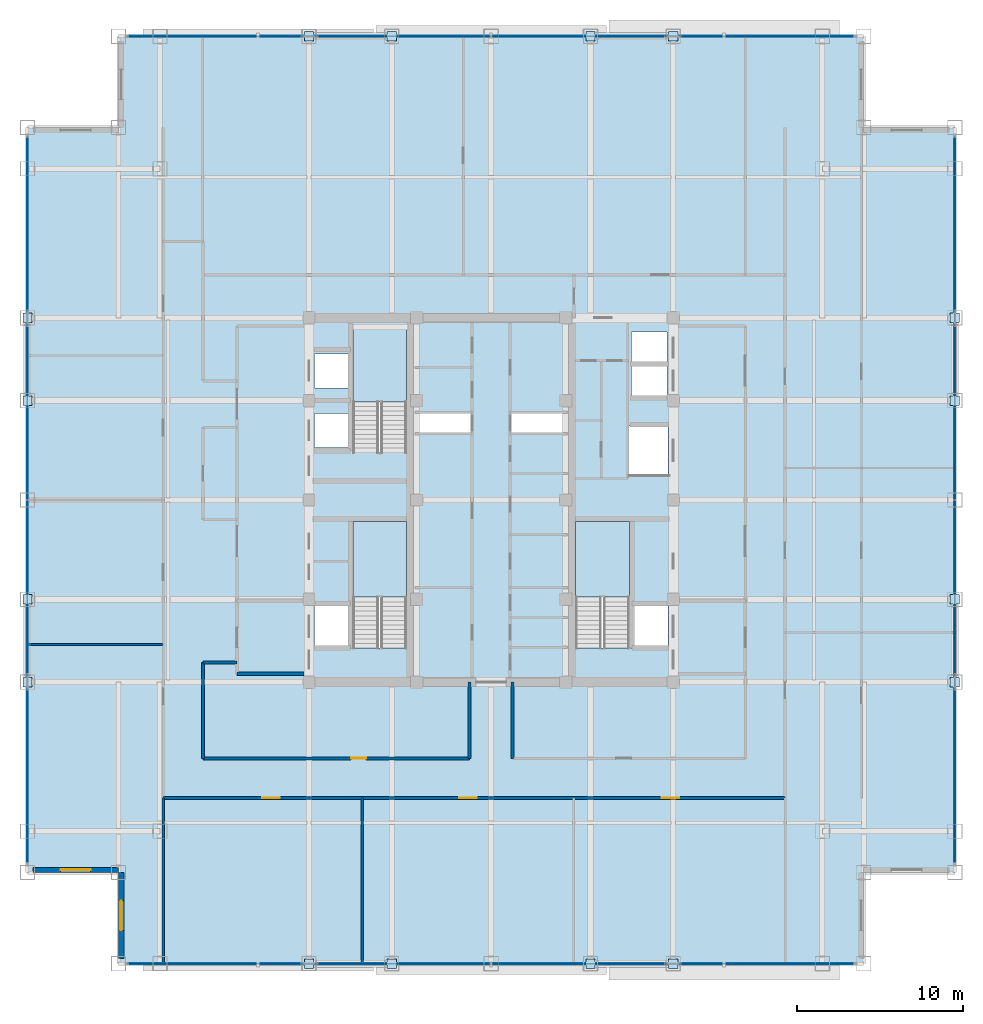
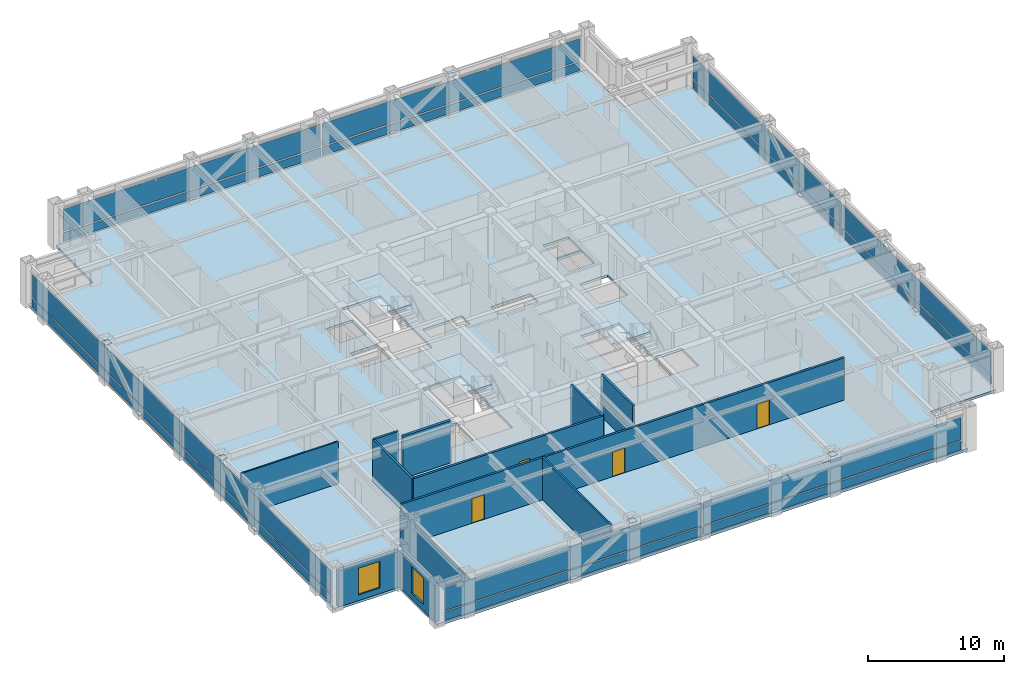
# One storey, part 17 of 27: 32 plates, 12 walls, 4 doors, 4 slabs, 2 windows, 6 openings, 7 elements without a shape of their own.
"""IFC4 building model written with IfcOpenShell, lengths in metres."""

from ifc_helpers import new_model, si_unit, direction, frame, frame_2d, origin, origin_2d, place, context, subcontext, project, spatial, polyline, rectangle, outline, extrude, source, transform, mapped, material, layer, layer_set, type_object, element, fill, aggregate, save


model = new_model("IFC4")

# Units and contexts
model_context = context("Model", 3, precision=1e-05, world=origin(), true_north=direction((0.0, 1.0)))
body_context = subcontext(model_context, "Body", "Model", "MODEL_VIEW")
ifc_project = project(units=[si_unit("LENGTHUNIT", "METRE"), si_unit("AREAUNIT", "SQUARE_METRE"), si_unit("VOLUMEUNIT", "CUBIC_METRE"), si_unit("PLANEANGLEUNIT", "RADIAN"), si_unit("MASSUNIT", "GRAM", prefix="KILO")], contexts=[model_context])

# Site, building, storey
site_placement = place(None, origin())
site = spatial("IfcSite", under=ifc_project, at=site_placement, CompositionType="ELEMENT")
building_placement = place(site_placement, origin())
building = spatial("IfcBuilding", under=site, at=building_placement, Name="Khorayat Bourse Tower", CompositionType="ELEMENT")
storey_placement = place(building_placement, frame((0.0, 0.0, 313.5)))
storey = spatial("IfcBuildingStorey", under=building, at=storey_placement, Name="L74", CompositionType="ELEMENT", Elevation=313.5)

# Stair, slab
ifc_material_1 = material(Name="Concrete C40/50", Category="concrete")
stair_type = type_object("IfcStairType", Name="STR-CORE-1550", PredefinedType="HALF_TURN_STAIR", material=ifc_material_1)
stair_1_placement = place(storey_placement, origin())
stair_1 = element("IfcStair", 1, at=stair_1_placement, inside=storey, type_object=stair_type, Name="L74 Exit Stair ST-1", PredefinedType="HALF_TURN_STAIR")
ifc_layer_1 = layer(ifc_material_1, 0.199951171875)
ifc_layer_set_1 = layer_set([ifc_layer_1], Name="Concrete C40/50")
slab_type_1 = type_object("IfcSlabType", Name="SLB-LANDING-200", PredefinedType="LANDING", material=ifc_layer_set_1)
slab_1_placement = place(storey_placement, frame((0.0, 0.0, 1.800048828125)))
slab_1 = element("IfcSlab", 2, at=slab_1_placement, type_object=slab_type_1, Name="ST-1 landing 1", PredefinedType="LANDING", context=body_context, shape_type="SweptSolid", body=[
    extrude(outline(polyline([(-5.10009765625, -5.8701171875), (-5.10009765625, -1.300048828125), (-8.35009765625, -1.300048828125), (-8.35009765625, -5.8701171875), (-5.10009765625, -5.8701171875)])), origin(), (0.0, 0.0, 1.0), 0.199951171875),
])
aggregate(stair_1, [slab_1])

stair_2_placement = place(storey_placement, origin())
stair_2 = element("IfcStair", 3, at=stair_2_placement, inside=storey, type_object=stair_type, Name="L74 Exit Stair ST-2", PredefinedType="HALF_TURN_STAIR")
slab_2_placement = place(storey_placement, frame((0.0, 0.0, 1.800048828125)))
slab_2 = element("IfcSlab", 4, at=slab_2_placement, type_object=slab_type_1, Name="ST-2 landing 1", PredefinedType="LANDING", context=body_context, shape_type="SweptSolid", body=[
    extrude(outline(polyline([(-5.10009765625, 5.929931640625), (-5.10009765625, 10.5), (-8.35009765625, 10.5), (-8.35009765625, 5.929931640625), (-5.10009765625, 5.929931640625)])), origin(), (0.0, 0.0, 1.0), 0.199951171875),
])
aggregate(stair_2, [slab_2])

stair_3_placement = place(storey_placement, origin())
stair_3 = element("IfcStair", 5, at=stair_3_placement, inside=storey, type_object=stair_type, Name="L74 Exit Stair ST-3", PredefinedType="HALF_TURN_STAIR")
slab_3_placement = place(storey_placement, frame((0.0, 0.0, 1.800048828125)))
slab_3 = element("IfcSlab", 6, at=slab_3_placement, type_object=slab_type_1, Name="ST-3 landing 1", PredefinedType="LANDING", context=body_context, shape_type="SweptSolid", body=[
    extrude(outline(polyline([(8.35009765625, -5.8701171875), (8.35009765625, -1.300048828125), (5.10009765625, -1.300048828125), (5.10009765625, -5.8701171875), (8.35009765625, -5.8701171875)])), origin(), (0.0, 0.0, 1.0), 0.199951171875),
])
aggregate(stair_3, [slab_3])

# Slab
ifc_layer_2 = layer(ifc_material_1, 0.219970703125)
ifc_layer_set_2 = layer_set([ifc_layer_2], Name="Concrete C40/50")
slab_type_2 = type_object("IfcSlabType", Name="SLB-OFFICE-220", PredefinedType="FLOOR", material=ifc_layer_set_2)
slab_4_placement = place(storey_placement, frame((0.0, 0.0, -0.219970703125)))
element("IfcSlab", 7, at=slab_4_placement, inside=storey, type_object=slab_type_2, Name="L74 Main Floor Slab", PredefinedType="FLOOR", context=body_context, shape_type="SweptSolid", body=[
    extrude(outline(polyline([(-22.5, -28.0), (22.5, -28.0), (22.5, -22.5), (28.0, -22.5), (28.0, 22.5), (22.5, 22.5), (22.5, 28.0), (-22.5, 28.0), (-22.5, 22.5), (-28.0, 22.5), (-28.0, -22.5), (-22.5, -22.5), (-22.5, -28.0)]), holes=[polyline([(-8.35009765625, -8.945068359375), (-5.10009765625, -8.945068359375), (-5.10009765625, -1.300048828125), (-8.35009765625, -1.300048828125), (-8.35009765625, -8.945068359375)]), polyline([(-8.35009765625, 2.85498046875), (-5.10009765625, 2.85498046875), (-5.10009765625, 10.5), (-8.35009765625, 10.5), (-8.35009765625, 2.85498046875)]), polyline([(5.10009765625, -8.945068359375), (8.35009765625, -8.945068359375), (8.35009765625, -1.300048828125), (5.10009765625, -1.300048828125), (5.10009765625, -8.945068359375)]), polyline([(-10.679931640625, 3.169921875), (-8.419921875, 3.169921875), (-8.419921875, 5.22998046875), (-10.679931640625, 5.22998046875), (-10.679931640625, 3.169921875)]), polyline([(-10.679931640625, 6.77001953125), (-8.419921875, 6.77001953125), (-8.419921875, 8.830078125), (-10.679931640625, 8.830078125), (-10.679931640625, 6.77001953125)]), polyline([(8.469970703125, 6.27001953125), (10.6298828125, 6.27001953125), (10.6298828125, 8.1298828125), (8.469970703125, 8.1298828125), (8.469970703125, 6.27001953125)]), polyline([(8.469970703125, 8.27001953125), (10.6298828125, 8.27001953125), (10.6298828125, 10.1298828125), (8.469970703125, 10.1298828125), (8.469970703125, 8.27001953125)]), polyline([(-10.679931640625, -8.929931640625), (-8.419921875, -8.929931640625), (-8.419921875, -6.3701171875), (-10.679931640625, -6.3701171875), (-10.679931640625, -8.929931640625)]), polyline([(8.419921875, -8.929931640625), (10.679931640625, -8.929931640625), (10.679931640625, -6.3701171875), (8.419921875, -6.3701171875), (8.419921875, -8.929931640625)]), polyline([(8.320068359375, 1.52001953125), (10.679931640625, 1.52001953125), (10.679931640625, 4.47998046875), (8.320068359375, 4.47998046875), (8.320068359375, 1.52001953125)]), polyline([(-4.56005859375, 4.080078125), (-1.18994140625, 4.080078125), (-1.18994140625, 5.219970703125), (-4.56005859375, 5.219970703125), (-4.56005859375, 4.080078125)]), polyline([(1.18994140625, 4.080078125), (4.56005859375, 4.080078125), (4.56005859375, 5.219970703125), (1.18994140625, 5.219970703125), (1.18994140625, 4.080078125)])]), origin(), (0.0, 0.0, 1.0), 0.219970703125),
])

# Plates
ifc_material_2 = material(Name="Steel EN 10025-2 S355J2", Category="steel")
ifc_layer_3 = layer(ifc_material_2, 0.02490234375)
ifc_layer_set_3 = layer_set([ifc_layer_3], Name="Steel EN 10025-2 S355J2")
plate_type_1 = type_object("IfcPlateType", Name="PLT-ENDCAP-25", PredefinedType="SHEET", material=ifc_layer_set_3)
shared_shape_1 = source(origin(), body_context, "Body", "SweptSolid", [
    extrude(rectangle(XDim=0.56005859375, YDim=0.56005859375, at=origin_2d()), origin(), (0.0, 0.0, 1.0), 0.02490234375),
])
for number, where, z_axis, x_axis, name in (
    (8, (-11.0, -28.0, 0.237548828125), (0.0, 0.0, 1.0), (1.0, 0.0, 0.0), "L74 Perimeter Brace End Plate 001"),
    (9, (-6.0, -28.0, 3.517578125), (0.0, 0.0, 1.0), (1.0, 0.0, 0.0), "L74 Perimeter Brace End Plate 002"),
    (10, (6.0, -28.0, 0.237548828125), (0.0, 0.0, 1.0), (1.0, 0.0, 0.0), "L74 Perimeter Brace End Plate 003"),
    (11, (11.0, -28.0, 3.517578125), (0.0, 0.0, 1.0), (1.0, 0.0, 0.0), "L74 Perimeter Brace End Plate 004"),
    (12, (-11.0, 28.0, 0.237548828125), (0.0, 0.0, 1.0), (1.0, 0.0, 0.0), "L74 Perimeter Brace End Plate 005"),
    (13, (-6.0, 28.0, 3.517578125), (0.0, 0.0, 1.0), (1.0, 0.0, 0.0), "L74 Perimeter Brace End Plate 006"),
    (14, (6.0, 28.0, 0.237548828125), (0.0, 0.0, 1.0), (1.0, 0.0, 0.0), "L74 Perimeter Brace End Plate 007"),
    (15, (11.0, 28.0, 3.517578125), (0.0, 0.0, 1.0), (1.0, 0.0, 0.0), "L74 Perimeter Brace End Plate 008"),
    (16, (-28.0, -11.0, 0.237548828125), (0.0, 0.0, 1.0), (1.0, 0.0, 0.0), "L74 Perimeter Brace End Plate 009"),
    (17, (-28.0, -6.0, 3.517578125), (0.0, 0.0, 1.0), (1.0, 0.0, 0.0), "L74 Perimeter Brace End Plate 010"),
    (18, (-28.0, 6.0, 0.237548828125), (0.0, 0.0, 1.0), (1.0, 0.0, 0.0), "L74 Perimeter Brace End Plate 011"),
    (19, (-28.0, 11.0, 3.517578125), (0.0, 0.0, 1.0), (1.0, 0.0, 0.0), "L74 Perimeter Brace End Plate 012"),
    (20, (28.0, -11.0, 0.237548828125), (0.0, 0.0, 1.0), (1.0, 0.0, 0.0), "L74 Perimeter Brace End Plate 013"),
    (21, (28.0, -6.0, 3.517578125), (0.0, 0.0, 1.0), (1.0, 0.0, 0.0), "L74 Perimeter Brace End Plate 014"),
    (22, (28.0, 6.0, 0.237548828125), (0.0, 0.0, 1.0), (1.0, 0.0, 0.0), "L74 Perimeter Brace End Plate 015"),
    (23, (28.0, 11.0, 3.517578125), (0.0, 0.0, 1.0), (1.0, 0.0, 0.0), "L74 Perimeter Brace End Plate 016"),
):
    element("IfcPlate", number, at=place(storey_placement, frame(where, z_axis=z_axis, x_axis=x_axis)), inside=storey, type_object=plate_type_1, Name=name, PredefinedType="SHEET", context=body_context, shape_type="MappedRepresentation", body=[
        mapped(shared_shape_1, transform((0.0, 0.0, 0.0), scale=1.0)),
    ])

# Curtain wall, plates
ifc_material_3 = material(Name="Aluminium EN AW-6063 T6", Category="aluminium")
curtain_wall_type = type_object("IfcCurtainWallType", Name="CW-SYS-04", PredefinedType="NOTDEFINED", material=ifc_material_3)
curtain_wall_1_placement = place(storey_placement, origin())
curtain_wall_1 = element("IfcCurtainWall", 24, at=curtain_wall_1_placement, inside=storey, type_object=curtain_wall_type, Name="L74 Curtain Wall CW-L74-S1", PredefinedType="NOTDEFINED")
ifc_material_4 = material(Name="Honed desert limestone insulated spandrel", Category="masonry")
ifc_layer_4 = layer(ifc_material_4, 0.06494140625)
ifc_layer_set_4 = layer_set([ifc_layer_4], Name="Honed desert limestone insulated spandrel")
plate_type_2 = type_object("IfcPlateType", Name="CWP-SPAND-03", PredefinedType="CURTAIN_PANEL", material=ifc_layer_set_4)
shared_shape_2 = source(origin(), body_context, "Body", "SweptSolid", [
    extrude(rectangle(XDim=21.820068359375, YDim=0.06494140625, at=origin_2d()), origin(), (0.0, 0.0, 1.0), 0.77001953125),
])
plate_1_placement = place(storey_placement, frame((-10.969970703125, -28.0, 0.119873046875), z_axis=(0.0, 0.0, 1.0), x_axis=(1.0, 0.0, 0.0)))
plate_1 = element("IfcPlate", 25, at=plate_1_placement, type_object=plate_type_2, Name="CW-L74-S1 Spandrel Panel 1-1", PredefinedType="CURTAIN_PANEL", context=body_context, shape_type="MappedRepresentation", body=[
    mapped(shared_shape_2, transform((0.0, 0.0, 0.0), scale=1.0)),
])
plate_2_placement = place(storey_placement, frame((10.969970703125, -28.0, 0.119873046875), z_axis=(0.0, 0.0, 1.0), x_axis=(1.0, 0.0, 0.0)))
plate_2 = element("IfcPlate", 26, at=plate_2_placement, type_object=plate_type_2, Name="CW-L74-S1 Spandrel Panel 2-1", PredefinedType="CURTAIN_PANEL", context=body_context, shape_type="MappedRepresentation", body=[
    mapped(shared_shape_2, transform((0.0, 0.0, 0.0), scale=1.0)),
])

curtain_wall_2_placement = place(storey_placement, origin())
curtain_wall_2 = element("IfcCurtainWall", 27, at=curtain_wall_2_placement, inside=storey, type_object=curtain_wall_type, Name="L74 Curtain Wall CW-L74-N1", PredefinedType="NOTDEFINED")
plate_3_placement = place(storey_placement, frame((-10.969970703125, 28.0, 0.119873046875), z_axis=(0.0, 0.0, 1.0), x_axis=(1.0, 0.0, 0.0)))
plate_3 = element("IfcPlate", 28, at=plate_3_placement, type_object=plate_type_2, Name="CW-L74-N1 Spandrel Panel 1-1", PredefinedType="CURTAIN_PANEL", context=body_context, shape_type="MappedRepresentation", body=[
    mapped(shared_shape_2, transform((0.0, 0.0, 0.0), scale=1.0)),
])
plate_4_placement = place(storey_placement, frame((10.969970703125, 28.0, 0.119873046875), z_axis=(0.0, 0.0, 1.0), x_axis=(1.0, 0.0, 0.0)))
plate_4 = element("IfcPlate", 29, at=plate_4_placement, type_object=plate_type_2, Name="CW-L74-N1 Spandrel Panel 2-1", PredefinedType="CURTAIN_PANEL", context=body_context, shape_type="MappedRepresentation", body=[
    mapped(shared_shape_2, transform((0.0, 0.0, 0.0), scale=1.0)),
])

curtain_wall_3_placement = place(storey_placement, origin())
curtain_wall_3 = element("IfcCurtainWall", 30, at=curtain_wall_3_placement, inside=storey, type_object=curtain_wall_type, Name="L74 Curtain Wall CW-L74-W1", PredefinedType="NOTDEFINED")
plate_5_placement = place(storey_placement, frame((-28.0, -10.969970703125, 0.119873046875), z_axis=(0.0, 0.0, 1.0), x_axis=(0.0, 1.0, 0.0)))
plate_5 = element("IfcPlate", 31, at=plate_5_placement, type_object=plate_type_2, Name="CW-L74-W1 Spandrel Panel 1-1", PredefinedType="CURTAIN_PANEL", context=body_context, shape_type="MappedRepresentation", body=[
    mapped(shared_shape_2, transform((0.0, 0.0, 0.0), scale=1.0)),
])
plate_6_placement = place(storey_placement, frame((-28.0, 10.969970703125, 0.119873046875), z_axis=(0.0, 0.0, 1.0), x_axis=(0.0, 1.0, 0.0)))
plate_6 = element("IfcPlate", 32, at=plate_6_placement, type_object=plate_type_2, Name="CW-L74-W1 Spandrel Panel 2-1", PredefinedType="CURTAIN_PANEL", context=body_context, shape_type="MappedRepresentation", body=[
    mapped(shared_shape_2, transform((0.0, 0.0, 0.0), scale=1.0)),
])

curtain_wall_4_placement = place(storey_placement, origin())
curtain_wall_4 = element("IfcCurtainWall", 33, at=curtain_wall_4_placement, inside=storey, type_object=curtain_wall_type, Name="L74 Curtain Wall CW-L74-E1", PredefinedType="NOTDEFINED")
plate_7_placement = place(storey_placement, frame((28.0, -10.969970703125, 0.119873046875), z_axis=(0.0, 0.0, 1.0), x_axis=(0.0, 1.0, 0.0)))
plate_7 = element("IfcPlate", 34, at=plate_7_placement, type_object=plate_type_2, Name="CW-L74-E1 Spandrel Panel 1-1", PredefinedType="CURTAIN_PANEL", context=body_context, shape_type="MappedRepresentation", body=[
    mapped(shared_shape_2, transform((0.0, 0.0, 0.0), scale=1.0)),
])
plate_8_placement = place(storey_placement, frame((28.0, 10.969970703125, 0.119873046875), z_axis=(0.0, 0.0, 1.0), x_axis=(0.0, 1.0, 0.0)))
plate_8 = element("IfcPlate", 35, at=plate_8_placement, type_object=plate_type_2, Name="CW-L74-E1 Spandrel Panel 2-1", PredefinedType="CURTAIN_PANEL", context=body_context, shape_type="MappedRepresentation", body=[
    mapped(shared_shape_2, transform((0.0, 0.0, 0.0), scale=1.0)),
])

# Plate
ifc_material_5 = material(Name="Low-E solar-control laminated double glazing", Category="glass")
ifc_layer_5 = layer(ifc_material_5, 0.0419921875)
ifc_layer_set_5 = layer_set([ifc_layer_5], Name="Low-E solar-control laminated double glazing")
plate_type_3 = type_object("IfcPlateType", Name="CWP-FACET-02", PredefinedType="CURTAIN_PANEL", material=ifc_layer_set_5)
shared_shape_3 = source(origin(), body_context, "Body", "SweptSolid", [
    extrude(rectangle(XDim=21.820068359375, YDim=0.0419921875, at=origin_2d()), origin(), (0.0, 0.0, 1.0), 2.0),
])
plate_9_placement = place(storey_placement, frame((-10.969970703125, -28.0, 1.010009765625), z_axis=(0.0, 0.0, 1.0), x_axis=(1.0, 0.0, 0.0)))
plate_9 = element("IfcPlate", 36, at=plate_9_placement, type_object=plate_type_3, Name="CW-L74-S1 Vision Panel 1-2", PredefinedType="CURTAIN_PANEL", context=body_context, shape_type="MappedRepresentation", body=[
    mapped(shared_shape_3, transform((0.0, 0.0, 0.0), scale=1.0)),
])

plate_10_placement = place(storey_placement, frame((10.969970703125, -28.0, 1.010009765625), z_axis=(0.0, 0.0, 1.0), x_axis=(1.0, 0.0, 0.0)))
plate_10 = element("IfcPlate", 37, at=plate_10_placement, type_object=plate_type_3, Name="CW-L74-S1 Vision Panel 2-2", PredefinedType="CURTAIN_PANEL", context=body_context, shape_type="MappedRepresentation", body=[
    mapped(shared_shape_3, transform((0.0, 0.0, 0.0), scale=1.0)),
])

aggregate(curtain_wall_1, [plate_1, plate_9, plate_2, plate_10])

plate_11_placement = place(storey_placement, frame((-10.969970703125, 28.0, 1.010009765625), z_axis=(0.0, 0.0, 1.0), x_axis=(1.0, 0.0, 0.0)))
plate_11 = element("IfcPlate", 38, at=plate_11_placement, type_object=plate_type_3, Name="CW-L74-N1 Vision Panel 1-2", PredefinedType="CURTAIN_PANEL", context=body_context, shape_type="MappedRepresentation", body=[
    mapped(shared_shape_3, transform((0.0, 0.0, 0.0), scale=1.0)),
])

plate_12_placement = place(storey_placement, frame((10.969970703125, 28.0, 1.010009765625), z_axis=(0.0, 0.0, 1.0), x_axis=(1.0, 0.0, 0.0)))
plate_12 = element("IfcPlate", 39, at=plate_12_placement, type_object=plate_type_3, Name="CW-L74-N1 Vision Panel 2-2", PredefinedType="CURTAIN_PANEL", context=body_context, shape_type="MappedRepresentation", body=[
    mapped(shared_shape_3, transform((0.0, 0.0, 0.0), scale=1.0)),
])

aggregate(curtain_wall_2, [plate_3, plate_11, plate_4, plate_12])

plate_13_placement = place(storey_placement, frame((-28.0, -10.969970703125, 1.010009765625), z_axis=(0.0, 0.0, 1.0), x_axis=(0.0, 1.0, 0.0)))
plate_13 = element("IfcPlate", 40, at=plate_13_placement, type_object=plate_type_3, Name="CW-L74-W1 Vision Panel 1-2", PredefinedType="CURTAIN_PANEL", context=body_context, shape_type="MappedRepresentation", body=[
    mapped(shared_shape_3, transform((0.0, 0.0, 0.0), scale=1.0)),
])

plate_14_placement = place(storey_placement, frame((-28.0, 10.969970703125, 1.010009765625), z_axis=(0.0, 0.0, 1.0), x_axis=(0.0, 1.0, 0.0)))
plate_14 = element("IfcPlate", 41, at=plate_14_placement, type_object=plate_type_3, Name="CW-L74-W1 Vision Panel 2-2", PredefinedType="CURTAIN_PANEL", context=body_context, shape_type="MappedRepresentation", body=[
    mapped(shared_shape_3, transform((0.0, 0.0, 0.0), scale=1.0)),
])

aggregate(curtain_wall_3, [plate_5, plate_13, plate_6, plate_14])

plate_15_placement = place(storey_placement, frame((28.0, -10.969970703125, 1.010009765625), z_axis=(0.0, 0.0, 1.0), x_axis=(0.0, 1.0, 0.0)))
plate_15 = element("IfcPlate", 42, at=plate_15_placement, type_object=plate_type_3, Name="CW-L74-E1 Vision Panel 1-2", PredefinedType="CURTAIN_PANEL", context=body_context, shape_type="MappedRepresentation", body=[
    mapped(shared_shape_3, transform((0.0, 0.0, 0.0), scale=1.0)),
])

plate_16_placement = place(storey_placement, frame((28.0, 10.969970703125, 1.010009765625), z_axis=(0.0, 0.0, 1.0), x_axis=(0.0, 1.0, 0.0)))
plate_16 = element("IfcPlate", 43, at=plate_16_placement, type_object=plate_type_3, Name="CW-L74-E1 Vision Panel 2-2", PredefinedType="CURTAIN_PANEL", context=body_context, shape_type="MappedRepresentation", body=[
    mapped(shared_shape_3, transform((0.0, 0.0, 0.0), scale=1.0)),
])

aggregate(curtain_wall_4, [plate_7, plate_15, plate_8, plate_16])

# Wall, opening, window
ifc_material_6 = material(Name="Precast concrete C45/55", Category="concrete")
ifc_layer_6 = layer(ifc_material_6, 0.320068359375)
ifc_layer_set_6 = layer_set([ifc_layer_6], Name="Precast concrete C45/55")
wall_type_1 = type_object("IfcWallType", Name="WAL-EXT-STONE-320", PredefinedType="STANDARD", material=ifc_layer_set_6)
shared_shape_4 = source(origin(), body_context, "Body", "SweptSolid", [
    extrude(rectangle(XDim=5.179931640625, YDim=0.320068359375, at=frame_2d((2.58984375, 0.0))), origin(), (0.0, 0.0, 1.0), 3.23095703125),
])
wall_1_placement = place(storey_placement, frame((-22.5, -22.340087890625, 0.0), z_axis=(0.0, 0.0, 1.0), x_axis=(-1.0, 0.0, 0.0)))
wall_1 = element("IfcWall", 44, at=wall_1_placement, inside=storey, type_object=wall_type_1, Name="L74 Re-Entrant Notch Limestone Wall SW-H", PredefinedType="STANDARD", context=body_context, shape_type="MappedRepresentation", body=[
    mapped(shared_shape_4, transform((0.0, 0.0, 0.0), scale=1.0)),
])
shared_shape_5 = source(origin(), body_context, "Body", "SweptSolid", [
    extrude(rectangle(XDim=1.800048828125, YDim=2.39990234375, at=frame_2d((0.89990234375, 1.199951171875))), frame((0.0, 0.169921875, 0.0), z_axis=(0.0, -1.0, 0.0), x_axis=(1.0, 0.0, 0.0)), (0.0, 0.0, 1.0), 0.340087890625),
])
opening_1_placement = place(wall_1_placement, frame((1.68994140625, 0.0, 0.5)))
opening_1 = element("IfcOpeningElement", 45, at=opening_1_placement, cuts=wall_1, Name="Opening WN-04", PredefinedType="OPENING", context=body_context, shape_type="MappedRepresentation", body=[
    mapped(shared_shape_5, transform((0.0, 0.0, 0.0), scale=1.0)),
])
ifc_material_7 = material(Name="Low-E acoustic laminated double glazing", Category="glass")
window_type = type_object("IfcWindowType", Name="WIN-NOTCH-1800x2400", PartitioningType="SINGLE_PANEL", PredefinedType="WINDOW", material=ifc_material_7)
shared_shape_6 = source(origin(), body_context, "Body", "SweptSolid", [
    extrude(rectangle(XDim=1.800048828125, YDim=2.39990234375, at=frame_2d((0.89990234375, 1.199951171875))), frame((0.0, 0.030029296875, 0.0), z_axis=(0.0, -1.0, 0.0), x_axis=(1.0, 0.0, 0.0)), (0.0, 0.0, 1.0), 0.06005859375),
])
window_1_placement = place(opening_1_placement, origin())
window_1 = element("IfcWindow", 46, at=window_1_placement, inside=storey, type_object=window_type, Name="L74 Facade Window 1", OverallHeight=2.39990234375, OverallWidth=1.800048828125, PartitioningType="SINGLE_PANEL", PredefinedType="WINDOW", context=body_context, shape_type="MappedRepresentation", body=[
    mapped(shared_shape_6, transform((0.0, 0.0, 0.0), scale=1.0)),
])
fill(opening_1, window_1)

wall_2_placement = place(storey_placement, frame((-22.340087890625, -27.679931640625, 0.0), z_axis=(0.0, 0.0, 1.0), x_axis=(0.0, 1.0, 0.0)))
wall_2 = element("IfcWall", 47, at=wall_2_placement, inside=storey, type_object=wall_type_1, Name="L74 Re-Entrant Notch Limestone Wall SW-V", PredefinedType="STANDARD", context=body_context, shape_type="MappedRepresentation", body=[
    mapped(shared_shape_4, transform((0.0, 0.0, 0.0), scale=1.0)),
])
opening_2_placement = place(wall_2_placement, frame((1.68994140625, 0.0, 0.5)))
opening_2 = element("IfcOpeningElement", 48, at=opening_2_placement, cuts=wall_2, Name="Opening WN-04", PredefinedType="OPENING", context=body_context, shape_type="MappedRepresentation", body=[
    mapped(shared_shape_5, transform((0.0, 0.0, 0.0), scale=1.0)),
])
window_2_placement = place(opening_2_placement, origin())
window_2 = element("IfcWindow", 49, at=window_2_placement, inside=storey, type_object=window_type, Name="L74 Facade Window 1", OverallHeight=2.39990234375, OverallWidth=1.800048828125, PartitioningType="SINGLE_PANEL", PredefinedType="WINDOW", context=body_context, shape_type="MappedRepresentation", body=[
    mapped(shared_shape_6, transform((0.0, 0.0, 0.0), scale=1.0)),
])
fill(opening_2, window_2)

# Walls
ifc_material_8 = material(Name="Aerated concrete blockwork", Category="masonry")
ifc_layer_7 = layer(ifc_material_8, 0.219970703125)
ifc_layer_set_7 = layer_set([ifc_layer_7], Name="Aerated concrete blockwork")
wall_type_2 = type_object("IfcWallType", Name="WAL-PART-FF-220", PredefinedType="PARTITIONING", material=ifc_layer_set_7)
shared_shape_7 = source(origin(), body_context, "Body", "SweptSolid", [
    extrude(rectangle(XDim=4.050048828125, YDim=0.219970703125, at=frame_2d((2.02490234375, 0.0))), origin(), (0.0, 0.0, 1.0), 3.780029296875),
])
wall_3_placement = place(storey_placement, frame((-15.35009765625, -10.5, 0.0), z_axis=(0.0, 0.0, 1.0), x_axis=(1.0, 0.0, 0.0)))
element("IfcWall", 50, at=wall_3_placement, inside=storey, type_object=wall_type_2, Name="L74 Partition WAL-L74-FFLW-S", PredefinedType="PARTITIONING", context=body_context, shape_type="MappedRepresentation", body=[
    mapped(shared_shape_7, transform((0.0, 0.0, 0.0), scale=1.0)),
])
ifc_material_9 = material(Name="Gypsum plasterboard acoustic stud wall")
ifc_layer_8 = layer(ifc_material_9, 0.179931640625)
ifc_layer_set_8 = layer_set([ifc_layer_8], Name="Gypsum plasterboard acoustic stud wall")
wall_type_3 = type_object("IfcWallType", Name="WAL-PART-CORR-180", PredefinedType="PARTITIONING", material=ifc_layer_set_8)
shared_shape_8 = source(origin(), body_context, "Body", "SweptSolid", [
    extrude(rectangle(XDim=2.0498046875, YDim=0.179931640625, at=frame_2d((1.02490234375, 0.0))), origin(), (0.0, 0.0, 1.0), 3.780029296875),
])
wall_4_placement = place(storey_placement, frame((-17.39990234375, -9.800048828125, 0.0), z_axis=(0.0, 0.0, 1.0), x_axis=(1.0, 0.0, 0.0)))
element("IfcWall", 51, at=wall_4_placement, inside=storey, type_object=wall_type_3, Name="L74 Partition WAL-L74-THRW-S", PredefinedType="PARTITIONING", context=body_context, shape_type="MappedRepresentation", body=[
    mapped(shared_shape_8, transform((0.0, 0.0, 0.0), scale=1.0)),
])

# Wall, opening, door
shared_shape_9 = source(origin(), body_context, "Body", "SweptSolid", [
    extrude(rectangle(XDim=16.099853515625, YDim=0.179931640625, at=frame_2d((8.0498046875, 0.0))), origin(), (0.0, 0.0, 1.0), 3.780029296875),
])
wall_5_placement = place(storey_placement, frame((-17.39990234375, -15.60009765625, 0.0), z_axis=(0.0, 0.0, 1.0), x_axis=(1.0, 0.0, 0.0)))
wall_5 = element("IfcWall", 52, at=wall_5_placement, inside=storey, type_object=wall_type_3, Name="L74 Partition WAL-L74-PKSW-S", PredefinedType="PARTITIONING", context=body_context, shape_type="MappedRepresentation", body=[
    mapped(shared_shape_9, transform((0.0, 0.0, 0.0), scale=1.0)),
])
shared_shape_10 = source(origin(), body_context, "Body", "SweptSolid", [
    extrude(rectangle(XDim=0.89990234375, YDim=2.14990234375, at=frame_2d((0.449951171875, 1.074951171875))), frame((0.0, 0.099853515625, 0.0), z_axis=(0.0, -1.0, 0.0), x_axis=(1.0, 0.0, 0.0)), (0.0, 0.0, 1.0), 0.199951171875),
])
opening_3_placement = place(wall_5_placement, frame((8.949951171875, 0.0, 0.0)))
opening_3 = element("IfcOpeningElement", 53, at=opening_3_placement, cuts=wall_5, Name="Opening DI-06", PredefinedType="OPENING", context=body_context, shape_type="MappedRepresentation", body=[
    mapped(shared_shape_10, transform((0.0, 0.0, 0.0), scale=1.0)),
])
ifc_material_10 = material(Name="Moisture-resistant laminate washroom door")
door_type_1 = type_object("IfcDoorType", Name="DR-INT-WC-900", OperationType="NOTDEFINED", PredefinedType="DOOR", material=ifc_material_10)
shared_shape_11 = source(origin(), body_context, "Body", "SweptSolid", [
    extrude(rectangle(XDim=0.89990234375, YDim=2.14990234375, at=frame_2d((0.449951171875, 1.074951171875))), frame((0.0, 0.02490234375, 0.0), z_axis=(0.0, -1.0, 0.0), x_axis=(1.0, 0.0, 0.0)), (0.0, 0.0, 1.0), 0.050048828125),
])
door_1_placement = place(opening_3_placement, origin())
door_1 = element("IfcDoor", 54, at=door_1_placement, inside=storey, type_object=door_type_1, Name="L74 SW Inboard Pantry Door", OperationType="SINGLE_SWING_LEFT", OverallHeight=2.14990234375, OverallWidth=0.89990234375, PredefinedType="DOOR", context=body_context, shape_type="MappedRepresentation", body=[
    mapped(shared_shape_11, transform((0.0, 0.0, 0.0), scale=1.0)),
])
fill(opening_3, door_1)

# Wall
shared_shape_12 = source(origin(), body_context, "Body", "SweptSolid", [
    extrude(rectangle(XDim=5.800048828125, YDim=0.179931640625, at=frame_2d((2.89990234375, 0.0))), origin(), (0.0, 0.0, 1.0), 3.780029296875),
])
wall_6_placement = place(storey_placement, frame((-17.39990234375, -15.60009765625, 0.0), z_axis=(0.0, 0.0, 1.0), x_axis=(0.0, 1.0, 0.0)))
element("IfcWall", 55, at=wall_6_placement, inside=storey, type_object=wall_type_3, Name="L74 Partition WAL-L74-PKSW-W", PredefinedType="PARTITIONING", context=body_context, shape_type="MappedRepresentation", body=[
    mapped(shared_shape_12, transform((0.0, 0.0, 0.0), scale=1.0)),
])

# Wall, openings, doors
shared_shape_13 = source(origin(), body_context, "Body", "SweptSolid", [
    extrude(rectangle(XDim=37.550048828125, YDim=0.179931640625, at=frame_2d((18.77490234375, 0.0))), origin(), (0.0, 0.0, 1.0), 3.780029296875),
])
wall_7_placement = place(storey_placement, frame((-19.800048828125, -18.0, 0.0), z_axis=(0.0, 0.0, 1.0), x_axis=(1.0, 0.0, 0.0)))
wall_7 = element("IfcWall", 56, at=wall_7_placement, inside=storey, type_object=wall_type_3, Name="L74 Partition WAL-L74-SCORR", PredefinedType="PARTITIONING", context=body_context, shape_type="MappedRepresentation", body=[
    mapped(shared_shape_13, transform((0.0, 0.0, 0.0), scale=1.0)),
])
shared_shape_14 = source(origin(), body_context, "Body", "SweptSolid", [
    extrude(rectangle(XDim=1.050048828125, YDim=2.199951171875, at=frame_2d((0.52490234375, 1.10009765625))), frame((0.0, 0.099853515625, 0.0), z_axis=(0.0, -1.0, 0.0), x_axis=(1.0, 0.0, 0.0)), (0.0, 0.0, 1.0), 0.199951171875),
])
opening_4_placement = place(wall_7_placement, frame((5.98291015625, 0.0, 0.0)))
opening_4 = element("IfcOpeningElement", 57, at=opening_4_placement, cuts=wall_7, Name="Opening DI-04", PredefinedType="OPENING", context=body_context, shape_type="MappedRepresentation", body=[
    mapped(shared_shape_14, transform((0.0, 0.0, 0.0), scale=1.0)),
])
opening_5_placement = place(wall_7_placement, frame((17.87451171875, 0.0, 0.0)))
opening_5 = element("IfcOpeningElement", 58, at=opening_5_placement, cuts=wall_7, Name="Opening DI-04", PredefinedType="OPENING", context=body_context, shape_type="MappedRepresentation", body=[
    mapped(shared_shape_14, transform((0.0, 0.0, 0.0), scale=1.0)),
])
opening_6_placement = place(wall_7_placement, frame((30.116455078125, 0.0, 0.0)))
opening_6 = element("IfcOpeningElement", 59, at=opening_6_placement, cuts=wall_7, Name="Opening DI-04", PredefinedType="OPENING", context=body_context, shape_type="MappedRepresentation", body=[
    mapped(shared_shape_14, transform((0.0, 0.0, 0.0), scale=1.0)),
])
ifc_material_11 = material(Name="Fire-rated oak veneer suite entrance door")
door_type_2 = type_object("IfcDoorType", Name="DR-INT-SUITE-1050", OperationType="NOTDEFINED", PredefinedType="DOOR", material=ifc_material_11)
shared_shape_15 = source(origin(), body_context, "Body", "SweptSolid", [
    extrude(rectangle(XDim=1.050048828125, YDim=2.199951171875, at=frame_2d((0.52490234375, 1.10009765625))), frame((0.0, 0.02490234375, 0.0), z_axis=(0.0, -1.0, 0.0), x_axis=(1.0, 0.0, 0.0)), (0.0, 0.0, 1.0), 0.050048828125),
])
door_2_placement = place(opening_4_placement, origin())
door_2 = element("IfcDoor", 60, at=door_2_placement, inside=storey, type_object=door_type_2, Name="L74 Clearing Operations Office S1 Door", OperationType="SINGLE_SWING_RIGHT", OverallHeight=2.199951171875, OverallWidth=1.050048828125, PredefinedType="DOOR", context=body_context, shape_type="MappedRepresentation", body=[
    mapped(shared_shape_15, transform((0.0, 0.0, 0.0), scale=1.0)),
])
fill(opening_4, door_2)
door_3_placement = place(opening_5_placement, origin())
door_3 = element("IfcDoor", 61, at=door_3_placement, inside=storey, type_object=door_type_2, Name="L74 Market Risk Analytics Workspace S2 Door", OperationType="SINGLE_SWING_LEFT", OverallHeight=2.199951171875, OverallWidth=1.050048828125, PredefinedType="DOOR", context=body_context, shape_type="MappedRepresentation", body=[
    mapped(shared_shape_15, transform((0.0, 0.0, 0.0), scale=1.0)),
])
fill(opening_5, door_3)
door_4_placement = place(opening_6_placement, origin())
door_4 = element("IfcDoor", 62, at=door_4_placement, inside=storey, type_object=door_type_2, Name="L74 Equities Trading Desk S3 Door", OperationType="SINGLE_SWING_RIGHT", OverallHeight=2.199951171875, OverallWidth=1.050048828125, PredefinedType="DOOR", context=body_context, shape_type="MappedRepresentation", body=[
    mapped(shared_shape_15, transform((0.0, 0.0, 0.0), scale=1.0)),
])
fill(opening_6, door_4)

# Walls
ifc_material_12 = material(Name="Gypsum plasterboard partition")
ifc_layer_9 = layer(ifc_material_12, 0.125)
ifc_layer_set_9 = layer_set([ifc_layer_9], Name="Gypsum plasterboard partition")
wall_type_4 = type_object("IfcWallType", Name="WAL-PART-ROOM-125", PredefinedType="PARTITIONING", material=ifc_layer_set_9)
shared_shape_16 = source(origin(), body_context, "Body", "SweptSolid", [
    extrude(rectangle(XDim=8.199951171875, YDim=0.125, at=frame_2d((4.10009765625, 0.0))), origin(), (0.0, 0.0, 1.0), 3.780029296875),
])
wall_8_placement = place(storey_placement, frame((-28.0, -8.736083984375, 0.0), z_axis=(0.0, 0.0, 1.0), x_axis=(1.0, 0.0, 0.0)))
element("IfcWall", 63, at=wall_8_placement, inside=storey, type_object=wall_type_4, Name="L74 Partition WAL-L74-WDV-1", PredefinedType="PARTITIONING", context=body_context, shape_type="MappedRepresentation", body=[
    mapped(shared_shape_16, transform((0.0, 0.0, 0.0), scale=1.0)),
])
shared_shape_17 = source(origin(), body_context, "Body", "SweptSolid", [
    extrude(rectangle(XDim=4.60009765625, YDim=0.179931640625, at=frame_2d((2.300048828125, 0.0))), origin(), (0.0, 0.0, 1.0), 3.780029296875),
])
for number, where, z_axis, x_axis, name in (
    (64, (-1.300048828125, -15.60009765625, 0.0), (0.0, 0.0, 1.0), (0.0, 1.0, 0.0), "L74 Partition WAL-L74-PKSW-E"),
    (65, (1.300048828125, -15.60009765625, 0.0), (0.0, 0.0, 1.0), (0.0, 1.0, 0.0), "L74 Partition WAL-L74-PKSE-W"),
):
    element("IfcWall", number, at=place(storey_placement, frame(where, z_axis=z_axis, x_axis=x_axis)), inside=storey, type_object=wall_type_3, Name=name, PredefinedType="PARTITIONING", context=body_context, shape_type="MappedRepresentation", body=[
        mapped(shared_shape_17, transform((0.0, 0.0, 0.0), scale=1.0)),
    ])
ifc_material_13 = material(Name="Gypsum plasterboard twin-frame partition")
ifc_layer_10 = layer(ifc_material_13, 0.14990234375)
ifc_layer_set_10 = layer_set([ifc_layer_10], Name="Gypsum plasterboard twin-frame partition")
wall_type_5 = type_object("IfcWallType", Name="WAL-PART-SUITE-150", PredefinedType="PARTITIONING", material=ifc_layer_set_10)
shared_shape_18 = source(origin(), body_context, "Body", "SweptSolid", [
    extrude(rectangle(XDim=10.0, YDim=0.14990234375, at=frame_2d((5.0, 0.0))), origin(), (0.0, 0.0, 1.0), 3.780029296875),
])
wall_9_placement = place(storey_placement, frame((-7.783935546875, -28.0, 0.0), z_axis=(0.0, 0.0, 1.0), x_axis=(0.0, 1.0, 0.0)))
element("IfcWall", 66, at=wall_9_placement, inside=storey, type_object=wall_type_5, Name="L74 Partition WAL-L74-SDV-1", PredefinedType="PARTITIONING", context=body_context, shape_type="MappedRepresentation", body=[
    mapped(shared_shape_18, transform((0.0, 0.0, 0.0), scale=1.0)),
])
shared_shape_19 = source(origin(), body_context, "Body", "SweptSolid", [
    extrude(rectangle(XDim=10.0, YDim=0.14990234375, at=frame_2d((5.0, 0.0))), origin(), (0.0, 0.0, 1.0), 3.1640625),
])
wall_10_placement = place(storey_placement, frame((-19.800048828125, -28.0, 0.0), z_axis=(0.0, 0.0, 1.0), x_axis=(0.0, 1.0, 0.0)))
element("IfcWall", 67, at=wall_10_placement, inside=storey, type_object=wall_type_5, Name="L74 Partition WAL-L74-SCW-END", PredefinedType="PARTITIONING", context=body_context, shape_type="MappedRepresentation", body=[
    mapped(shared_shape_19, transform((0.0, 0.0, 0.0), scale=1.0)),
])

save(model, "model.ifc")
